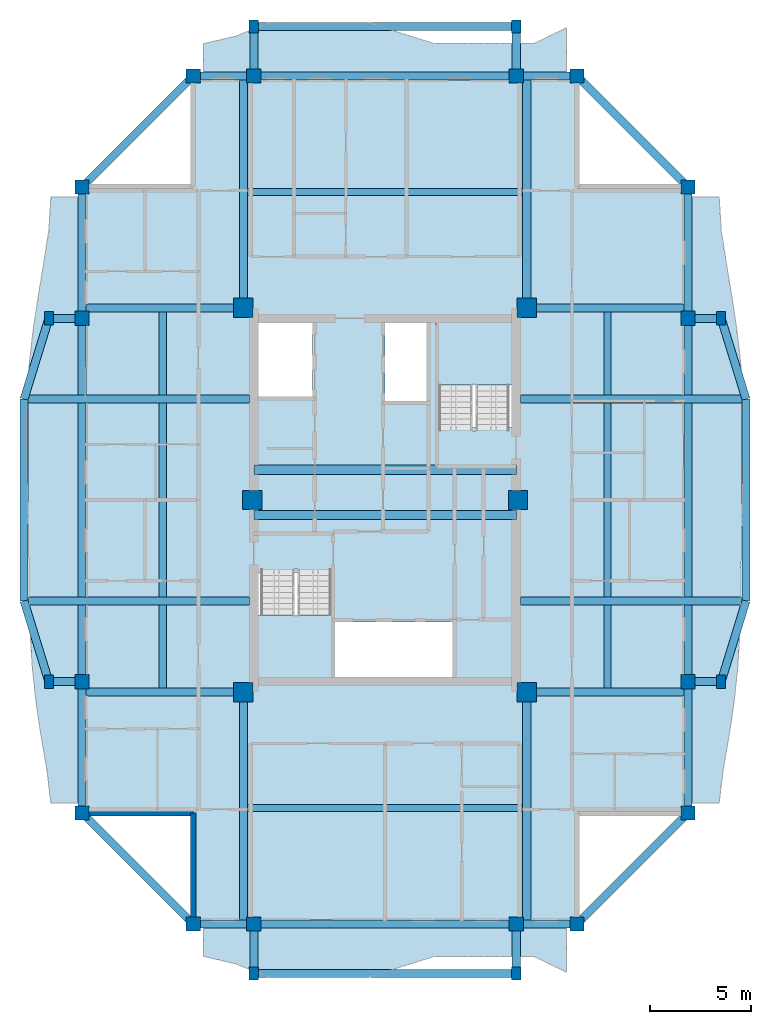
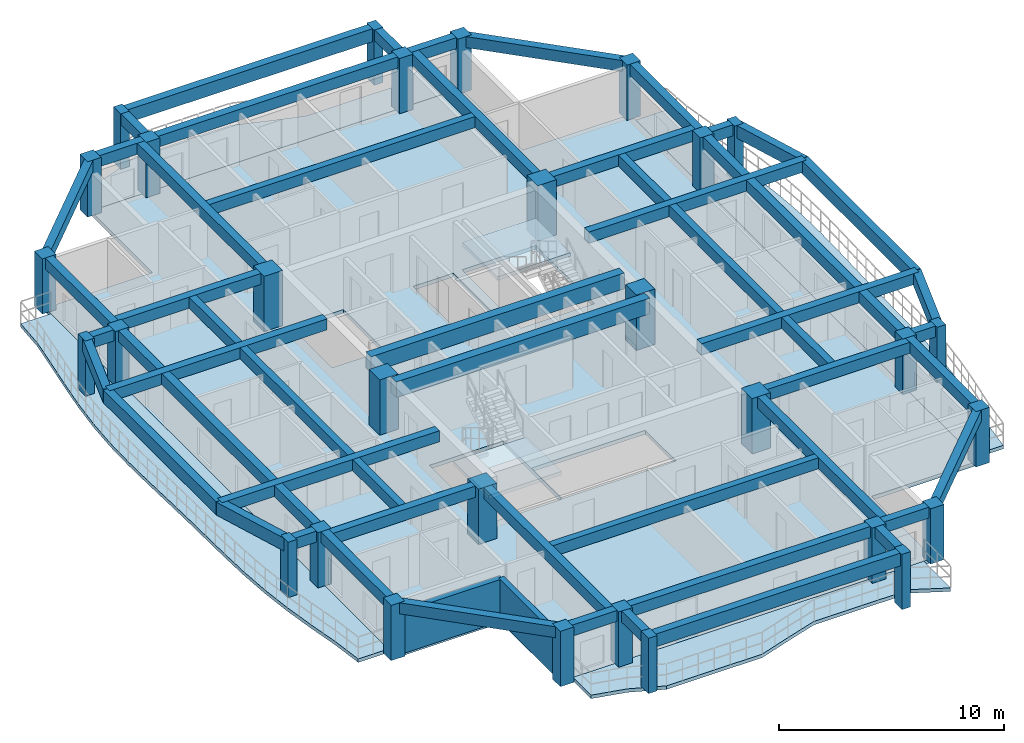
# One storey, part 1 of 12: 50 beams, 30 columns, 7 slabs, 2 walls, 2 elements without a shape of their own.
"""IFC4 building model written with IfcOpenShell, lengths in metres."""

from ifc_helpers import new_model, si_unit, direction, frame, frame_2d, origin, origin_2d, place, context, subcontext, project, spatial, polyline, rectangle, outline, extrude, source, transform, mapped, material, layer, layer_set, material_profile, profile_set, type_object, element, aggregate, save


model = new_model("IFC4")

# Units and contexts
model_context = context("Model", 3, precision=1e-05, world=origin(), true_north=direction((0.0, 1.0)))
body_context = subcontext(model_context, "Body", "Model", "MODEL_VIEW")
ifc_project = project(units=[si_unit("LENGTHUNIT", "METRE"), si_unit("AREAUNIT", "SQUARE_METRE"), si_unit("VOLUMEUNIT", "CUBIC_METRE"), si_unit("PLANEANGLEUNIT", "RADIAN"), si_unit("MASSUNIT", "GRAM", prefix="KILO")], contexts=[model_context])

# Site, building, storey
site_placement = place(None, origin())
site = spatial("IfcSite", under=ifc_project, at=site_placement, CompositionType="ELEMENT")
building_placement = place(site_placement, origin())
building = spatial("IfcBuilding", under=site, at=building_placement, Name="Saelheon Loggia Tower", CompositionType="ELEMENT")
storey_placement = place(building_placement, frame((0.0, 0.0, 243.0)))
storey = spatial("IfcBuildingStorey", under=building, at=storey_placement, Name="L75", CompositionType="ELEMENT", Elevation=243.0)

# Columns
ifc_material_1 = material(Name="Concrete C45/55", Category="concrete")
ifc_material_profile_1 = material_profile(ifc_material_1, rectangle(XDim=0.949951171875, YDim=0.949951171875, at=origin_2d()), Name="RC-950x950")
ifc_profile_set_1 = profile_set([ifc_material_profile_1], Name="Concrete C45/55")
column_type_1 = type_object("IfcColumnType", Name="Col_Core_RC950", PredefinedType="COLUMN", material=ifc_profile_set_1)
shared_shape_1 = source(origin(), body_context, "Body", "SweptSolid", [
    extrude(rectangle(XDim=0.949951171875, YDim=0.949951171875, at=origin_2d()), origin(), (0.0, 0.0, 1.0), 3.0),
])
for number, where, z_axis, x_axis, name in (
    (1, (30.97998046875, 17.47998046875, 0.0), (0.0, 0.0, 1.0), (1.0, 0.0, 0.0), "L75 Core Column CR-SW"),
    (2, (45.02001953125, 17.47998046875, 0.0), (0.0, 0.0, 1.0), (1.0, 0.0, 0.0), "L75 Core Column CR-SE"),
    (3, (30.97998046875, 36.52001953125, 0.0), (0.0, 0.0, 1.0), (1.0, 0.0, 0.0), "L75 Core Column CR-NW"),
    (4, (45.02001953125, 36.52001953125, 0.0), (0.0, 0.0, 1.0), (1.0, 0.0, 0.0), "L75 Core Column CR-NE"),
    (5, (31.419921875, 27.0, 0.0), (0.0, 0.0, 1.0), (1.0, 0.0, 0.0), "L75 Core Column CR-MW"),
    (6, (44.580078125, 27.0, 0.0), (0.0, 0.0, 1.0), (1.0, 0.0, 0.0), "L75 Core Column CR-ME"),
):
    element("IfcColumn", number, at=place(storey_placement, frame(where, z_axis=z_axis, x_axis=x_axis)), inside=storey, type_object=column_type_1, Name=name, PredefinedType="COLUMN", context=body_context, shape_type="MappedRepresentation", body=[
        mapped(shared_shape_1, transform((0.0, 0.0, 0.0), scale=1.0)),
    ])
ifc_material_2 = material(Name="Precast Concrete C45/55", Category="concrete")
ifc_material_profile_2 = material_profile(ifc_material_2, rectangle(XDim=0.449951171875, YDim=0.64990234375, at=origin_2d()), Name="RC-450x650")
ifc_profile_set_2 = profile_set([ifc_material_profile_2], Name="Precast Concrete C45/55")
column_type_2 = type_object("IfcColumnType", Name="Col_Loggia_Pilaster_650", PredefinedType="PILASTER", material=ifc_profile_set_2)
shared_shape_2 = source(origin(), body_context, "Body", "SweptSolid", [
    extrude(rectangle(XDim=0.449951171875, YDim=0.64990234375, at=origin_2d()), origin(), (0.0, 0.0, 1.0), 3.0),
])
for number, where, z_axis, x_axis, name in (
    (7, (31.5, 3.550048828125, 0.0), (0.0, 0.0, 1.0), (1.0, 0.0, 0.0), "L75 Loggia Frame Pilaster LP-S1"),
    (8, (44.5, 3.550048828125, 0.0), (0.0, 0.0, 1.0), (1.0, 0.0, 0.0), "L75 Loggia Frame Pilaster LP-S2"),
    (9, (31.5, 50.449951171875, 0.0), (0.0, 0.0, 1.0), (1.0, 0.0, 0.0), "L75 Loggia Frame Pilaster LP-N1"),
    (10, (44.5, 50.449951171875, 0.0), (0.0, 0.0, 1.0), (1.0, 0.0, 0.0), "L75 Loggia Frame Pilaster LP-N2"),
    (11, (54.64990234375, 18.0, 0.0), (0.0, 0.0, 1.0), (1.0, 0.0, 0.0), "L75 Loggia Frame Pilaster LP-E1"),
    (12, (54.64990234375, 36.0, 0.0), (0.0, 0.0, 1.0), (1.0, 0.0, 0.0), "L75 Loggia Frame Pilaster LP-E2"),
    (13, (21.35009765625, 18.0, 0.0), (0.0, 0.0, 1.0), (1.0, 0.0, 0.0), "L75 Loggia Frame Pilaster LP-W1"),
    (14, (21.35009765625, 36.0, 0.0), (0.0, 0.0, 1.0), (1.0, 0.0, 0.0), "L75 Loggia Frame Pilaster LP-W2"),
):
    element("IfcColumn", number, at=place(storey_placement, frame(where, z_axis=z_axis, x_axis=x_axis)), inside=storey, type_object=column_type_2, Name=name, PredefinedType="PILASTER", context=body_context, shape_type="MappedRepresentation", body=[
        mapped(shared_shape_2, transform((0.0, 0.0, 0.0), scale=1.0)),
    ])
ifc_material_profile_3 = material_profile(ifc_material_1, rectangle(XDim=0.699951171875, YDim=0.699951171875, at=origin_2d()), Name="RC-700x700")
ifc_profile_set_3 = profile_set([ifc_material_profile_3], Name="Concrete C45/55")
column_type_3 = type_object("IfcColumnType", Name="Col_Perim_RC700", PredefinedType="COLUMN", material=ifc_profile_set_3)
shared_shape_3 = source(origin(), body_context, "Body", "SweptSolid", [
    extrude(rectangle(XDim=0.699951171875, YDim=0.699951171875, at=origin_2d()), origin(), (0.0, 0.0, 1.0), 3.0),
])
for number, where, z_axis, x_axis, name in (
    (15, (28.5, 6.0, 0.0), (0.0, 0.0, 1.0), (1.0, 0.0, 0.0), "L75 Perimeter Column TP-S1"),
    (16, (31.5, 6.0, 0.0), (0.0, 0.0, 1.0), (1.0, 0.0, 0.0), "L75 Perimeter Column TP-SA"),
    (17, (44.5, 6.0, 0.0), (0.0, 0.0, 1.0), (1.0, 0.0, 0.0), "L75 Perimeter Column TP-SB"),
    (18, (47.5, 6.0, 0.0), (0.0, 0.0, 1.0), (1.0, 0.0, 0.0), "L75 Perimeter Column TP-S2"),
    (19, (53.0, 11.5, 0.0), (0.0, 0.0, 1.0), (1.0, 0.0, 0.0), "L75 Perimeter Column TP-E1"),
    (20, (53.0, 18.0, 0.0), (0.0, 0.0, 1.0), (1.0, 0.0, 0.0), "L75 Perimeter Column TP-EA"),
    (21, (53.0, 36.0, 0.0), (0.0, 0.0, 1.0), (1.0, 0.0, 0.0), "L75 Perimeter Column TP-EB"),
    (22, (53.0, 42.5, 0.0), (0.0, 0.0, 1.0), (1.0, 0.0, 0.0), "L75 Perimeter Column TP-E2"),
    (23, (47.5, 48.0, 0.0), (0.0, 0.0, 1.0), (1.0, 0.0, 0.0), "L75 Perimeter Column TP-N2"),
    (24, (44.5, 48.0, 0.0), (0.0, 0.0, 1.0), (1.0, 0.0, 0.0), "L75 Perimeter Column TP-NB"),
    (25, (31.5, 48.0, 0.0), (0.0, 0.0, 1.0), (1.0, 0.0, 0.0), "L75 Perimeter Column TP-NA"),
    (26, (28.5, 48.0, 0.0), (0.0, 0.0, 1.0), (1.0, 0.0, 0.0), "L75 Perimeter Column TP-N1"),
    (27, (23.0, 42.5, 0.0), (0.0, 0.0, 1.0), (1.0, 0.0, 0.0), "L75 Perimeter Column TP-W2"),
    (28, (23.0, 36.0, 0.0), (0.0, 0.0, 1.0), (1.0, 0.0, 0.0), "L75 Perimeter Column TP-WB"),
    (29, (23.0, 18.0, 0.0), (0.0, 0.0, 1.0), (1.0, 0.0, 0.0), "L75 Perimeter Column TP-WA"),
    (30, (23.0, 11.5, 0.0), (0.0, 0.0, 1.0), (1.0, 0.0, 0.0), "L75 Perimeter Column TP-W1"),
):
    element("IfcColumn", number, at=place(storey_placement, frame(where, z_axis=z_axis, x_axis=x_axis)), inside=storey, type_object=column_type_3, Name=name, PredefinedType="COLUMN", context=body_context, shape_type="MappedRepresentation", body=[
        mapped(shared_shape_3, transform((0.0, 0.0, 0.0), scale=1.0)),
    ])

# Beams
ifc_material_3 = material(Name="Concrete C50/60", Category="concrete")
ifc_material_profile_4 = material_profile(ifc_material_3, rectangle(XDim=0.449951171875, YDim=0.85009765625, at=origin_2d()), Name="RC-450x850")
ifc_profile_set_4 = profile_set([ifc_material_profile_4], Name="Concrete C50/60")
beam_type_1 = type_object("IfcBeamType", Name="Beam_CoreLintel_RC450x850", PredefinedType="LINTEL", material=ifc_profile_set_4)
shared_shape_4 = source(origin(), body_context, "Body", "SweptSolid", [
    extrude(rectangle(XDim=0.449951171875, YDim=0.85009765625, at=origin_2d()), origin(), (0.0, 0.0, 1.0), 13.0),
])
for number, where, z_axis, x_axis, name in (
    (31, (31.5, 26.25, 2.574951171875), (1.0, 0.0, 0.0), (0.0, 1.0, 0.0), "L75 Core Coupling Lintel 1"),
    (32, (31.5, 28.5, 2.574951171875), (1.0, 0.0, 0.0), (0.0, 1.0, 0.0), "L75 Core Coupling Lintel 2"),
):
    element("IfcBeam", number, at=place(storey_placement, frame(where, z_axis=z_axis, x_axis=x_axis)), inside=storey, type_object=beam_type_1, Name=name, PredefinedType="LINTEL", context=body_context, shape_type="MappedRepresentation", body=[
        mapped(shared_shape_4, transform((0.0, 0.0, 0.0), scale=1.0)),
    ])
ifc_material_profile_5 = material_profile(ifc_material_2, rectangle(XDim=0.39990234375, YDim=0.60009765625, at=origin_2d()), Name="RC-400x600")
ifc_profile_set_5 = profile_set([ifc_material_profile_5], Name="Precast Concrete C45/55")
beam_type_2 = type_object("IfcBeamType", Name="Beam_LoggiaTie_RC400x600", PredefinedType="BEAM", material=ifc_profile_set_5)
shared_shape_5 = source(origin(), body_context, "Body", "SweptSolid", [
    extrude(rectangle(XDim=0.39990234375, YDim=0.60009765625, at=origin_2d()), origin(), (0.0, 0.0, 1.0), 2.449951171875),
])
for number, where, z_axis, x_axis, name in (
    (33, (31.5, 6.0, 2.699951171875), (0.0, -1.0, 0.0), (1.0, 0.0, 0.0), "L75 Loggia Frame Tie Beam LP-S1"),
    (34, (44.5, 6.0, 2.699951171875), (0.0, -1.0, 0.0), (1.0, 0.0, 0.0), "L75 Loggia Frame Tie Beam LP-S2"),
    (35, (31.5, 48.0, 2.699951171875), (0.0, 1.0, 0.0), (-1.0, 0.0, 0.0), "L75 Loggia Frame Tie Beam LP-N1"),
    (36, (44.5, 48.0, 2.699951171875), (0.0, 1.0, 0.0), (-1.0, 0.0, 0.0), "L75 Loggia Frame Tie Beam LP-N2"),
):
    element("IfcBeam", number, at=place(storey_placement, frame(where, z_axis=z_axis, x_axis=x_axis)), inside=storey, type_object=beam_type_2, Name=name, PredefinedType="BEAM", context=body_context, shape_type="MappedRepresentation", body=[
        mapped(shared_shape_5, transform((0.0, 0.0, 0.0), scale=1.0)),
    ])
ifc_material_profile_6 = material_profile(ifc_material_1, rectangle(XDim=0.35009765625, YDim=0.60009765625, at=origin_2d()), Name="RC-350x600")
ifc_profile_set_6 = profile_set([ifc_material_profile_6], Name="Concrete C45/55")
beam_type_3 = type_object("IfcBeamType", Name="Beam_AmenityJoist_RC350x600", PredefinedType="JOIST", material=ifc_profile_set_6)
shared_shape_6 = source(origin(), body_context, "Body", "SweptSolid", [
    extrude(rectangle(XDim=0.35009765625, YDim=0.60009765625, at=origin_2d()), origin(), (0.0, 0.0, 1.0), 14.0400390625),
])
for number, where, z_axis, x_axis, name in (
    (37, (30.97998046875, 11.739990234375, 2.699951171875), (1.0, 0.0, 0.0), (0.0, 1.0, 0.0), "L75 South Floor Joist"),
    (38, (30.97998046875, 42.260009765625, 2.699951171875), (1.0, 0.0, 0.0), (0.0, 1.0, 0.0), "L75 North Floor Joist"),
):
    element("IfcBeam", number, at=place(storey_placement, frame(where, z_axis=z_axis, x_axis=x_axis)), inside=storey, type_object=beam_type_3, Name=name, PredefinedType="JOIST", context=body_context, shape_type="MappedRepresentation", body=[
        mapped(shared_shape_6, transform((0.0, 0.0, 0.0), scale=1.0)),
    ])
shared_shape_7 = source(origin(), body_context, "Body", "SweptSolid", [
    extrude(rectangle(XDim=0.35009765625, YDim=0.60009765625, at=origin_2d()), origin(), (0.0, 0.0, 1.0), 19.0400390625),
])
for number, where, z_axis, x_axis, name in (
    (39, (26.989990234375, 17.47998046875, 2.699951171875), (0.0, 1.0, 0.0), (-1.0, 0.0, 0.0), "L75 West Floor Joist"),
    (40, (49.010009765625, 17.47998046875, 2.699951171875), (0.0, 1.0, 0.0), (-1.0, 0.0, 0.0), "L75 East Floor Joist"),
):
    element("IfcBeam", number, at=place(storey_placement, frame(where, z_axis=z_axis, x_axis=x_axis)), inside=storey, type_object=beam_type_3, Name=name, PredefinedType="JOIST", context=body_context, shape_type="MappedRepresentation", body=[
        mapped(shared_shape_7, transform((0.0, 0.0, 0.0), scale=1.0)),
    ])
shared_shape_8 = source(origin(), body_context, "Body", "SweptSolid", [
    extrude(rectangle(XDim=0.39990234375, YDim=0.60009765625, at=origin_2d()), origin(), (0.0, 0.0, 1.0), 1.64990234375),
])
for number, where, z_axis, x_axis, name in (
    (41, (53.0, 18.0, 2.699951171875), (1.0, 0.0, 0.0), (0.0, 1.0, 0.0), "L75 Loggia Frame Tie Beam LP-E1"),
    (42, (53.0, 36.0, 2.699951171875), (1.0, 0.0, 0.0), (0.0, 1.0, 0.0), "L75 Loggia Frame Tie Beam LP-E2"),
    (43, (23.0, 18.0, 2.699951171875), (-1.0, 0.0, 0.0), (0.0, -1.0, 0.0), "L75 Loggia Frame Tie Beam LP-W1"),
    (44, (23.0, 36.0, 2.699951171875), (-1.0, 0.0, 0.0), (0.0, -1.0, 0.0), "L75 Loggia Frame Tie Beam LP-W2"),
):
    element("IfcBeam", number, at=place(storey_placement, frame(where, z_axis=z_axis, x_axis=x_axis)), inside=storey, type_object=beam_type_2, Name=name, PredefinedType="BEAM", context=body_context, shape_type="MappedRepresentation", body=[
        mapped(shared_shape_8, transform((0.0, 0.0, 0.0), scale=1.0)),
    ])
ifc_material_profile_7 = material_profile(ifc_material_2, rectangle(XDim=0.39990234375, YDim=0.699951171875, at=origin_2d()), Name="RC-400x700")
ifc_profile_set_7 = profile_set([ifc_material_profile_7], Name="Precast Concrete C45/55")
beam_type_4 = type_object("IfcBeamType", Name="Beam_LoggiaSpandrel_RC400x700", PredefinedType="SPANDREL", material=ifc_profile_set_7)
shared_shape_9 = source(origin(), body_context, "Body", "SweptSolid", [
    extrude(rectangle(XDim=0.39990234375, YDim=0.699951171875, at=origin_2d()), origin(), (0.0, 0.0, 1.0), 13.0),
])
for number, where, z_axis, x_axis, name in (
    (45, (31.5, 3.550048828125, 2.64990234375), (1.0, 0.0, 0.0), (0.0, 1.0, 0.0), "L75 Loggia Spandrel Beam S"),
    (46, (31.5, 50.449951171875, 2.64990234375), (1.0, 0.0, 0.0), (0.0, 1.0, 0.0), "L75 Loggia Spandrel Beam N"),
):
    element("IfcBeam", number, at=place(storey_placement, frame(where, z_axis=z_axis, x_axis=x_axis)), inside=storey, type_object=beam_type_4, Name=name, PredefinedType="SPANDREL", context=body_context, shape_type="MappedRepresentation", body=[
        mapped(shared_shape_9, transform((0.0, 0.0, 0.0), scale=1.0)),
    ])
shared_shape_10 = source(origin(), body_context, "Body", "SweptSolid", [
    extrude(rectangle(XDim=0.39990234375, YDim=0.699951171875, at=origin_2d()), origin(), (0.0, 0.0, 1.0), 4.184814453125),
])
for number, where, z_axis, x_axis, name in (
    (47, (54.64990234375, 18.0, 2.64990234375), (0.293913664135, 0.955831971653, 0.0), (-0.955831971653, 0.293913664135, 0.0), "L75 Curved Loggia Spandrel E 1"),
    (48, (55.8798828125, 32.0, 2.64990234375), (-0.293913664135, 0.955831971653, 0.0), (-0.955831971653, -0.293913664135, 0.0), "L75 Curved Loggia Spandrel E 3"),
    (49, (21.35009765625, 18.0, 2.64990234375), (-0.293913664135, 0.955831971653, 0.0), (-0.955831971653, -0.293913664135, 0.0), "L75 Curved Loggia Spandrel W 1"),
    (50, (20.1201171875, 32.0, 2.64990234375), (0.293913664135, 0.955831971653, 0.0), (-0.955831971653, 0.293913664135, 0.0), "L75 Curved Loggia Spandrel W 3"),
):
    element("IfcBeam", number, at=place(storey_placement, frame(where, z_axis=z_axis, x_axis=x_axis)), inside=storey, type_object=beam_type_4, Name=name, PredefinedType="SPANDREL", context=body_context, shape_type="MappedRepresentation", body=[
        mapped(shared_shape_10, transform((0.0, 0.0, 0.0), scale=1.0)),
    ])
shared_shape_11 = source(origin(), body_context, "Body", "SweptSolid", [
    extrude(rectangle(XDim=0.39990234375, YDim=0.699951171875, at=origin_2d()), origin(), (0.0, 0.0, 1.0), 10.0),
])
for number, where, z_axis, x_axis, name in (
    (51, (55.8798828125, 22.0, 2.64990234375), (0.0, 1.0, 0.0), (-1.0, 0.0, 0.0), "L75 Curved Loggia Spandrel E 2"),
    (52, (20.1201171875, 22.0, 2.64990234375), (0.0, 1.0, 0.0), (-1.0, 0.0, 0.0), "L75 Curved Loggia Spandrel W 2"),
):
    element("IfcBeam", number, at=place(storey_placement, frame(where, z_axis=z_axis, x_axis=x_axis)), inside=storey, type_object=beam_type_4, Name=name, PredefinedType="SPANDREL", context=body_context, shape_type="MappedRepresentation", body=[
        mapped(shared_shape_11, transform((0.0, 0.0, 0.0), scale=1.0)),
    ])
ifc_material_4 = material(Name="Concrete C40/50", Category="concrete")
ifc_material_profile_8 = material_profile(ifc_material_4, rectangle(XDim=0.39990234375, YDim=0.60009765625, at=origin_2d()), Name="RC-400x600")
ifc_profile_set_8 = profile_set([ifc_material_profile_8], Name="Concrete C40/50")
beam_type_5 = type_object("IfcBeamType", Name="Beam_PerimUpper_RC400x600", PredefinedType="BEAM", material=ifc_profile_set_8)
shared_shape_12 = source(origin(), body_context, "Body", "SweptSolid", [
    extrude(rectangle(XDim=0.39990234375, YDim=0.60009765625, at=origin_2d()), origin(), (0.0, 0.0, 1.0), 13.0),
])
for number, where, z_axis, x_axis, name in (
    (53, (31.5, 6.0, 2.699951171875), (1.0, 0.0, 0.0), (0.0, 1.0, 0.0), "L75 Perimeter Frame Girder 02"),
    (54, (44.5, 48.0, 2.699951171875), (-1.0, 0.0, 0.0), (0.0, -1.0, 0.0), "L75 Perimeter Frame Girder 10"),
):
    element("IfcBeam", number, at=place(storey_placement, frame(where, z_axis=z_axis, x_axis=x_axis)), inside=storey, type_object=beam_type_5, Name=name, PredefinedType="BEAM", context=body_context, shape_type="MappedRepresentation", body=[
        mapped(shared_shape_12, transform((0.0, 0.0, 0.0), scale=1.0)),
    ])
shared_shape_13 = source(origin(), body_context, "Body", "SweptSolid", [
    extrude(rectangle(XDim=0.39990234375, YDim=0.60009765625, at=origin_2d()), origin(), (0.0, 0.0, 1.0), 18.0),
])
for number, where, z_axis, x_axis, name in (
    (55, (53.0, 18.0, 2.699951171875), (0.0, 1.0, 0.0), (-1.0, 0.0, 0.0), "L75 Perimeter Frame Girder 06"),
    (56, (23.0, 36.0, 2.699951171875), (0.0, -1.0, 0.0), (1.0, 0.0, 0.0), "L75 Perimeter Frame Girder 14"),
):
    element("IfcBeam", number, at=place(storey_placement, frame(where, z_axis=z_axis, x_axis=x_axis)), inside=storey, type_object=beam_type_5, Name=name, PredefinedType="BEAM", context=body_context, shape_type="MappedRepresentation", body=[
        mapped(shared_shape_13, transform((0.0, 0.0, 0.0), scale=1.0)),
    ])
ifc_material_profile_9 = material_profile(ifc_material_4, rectangle(XDim=0.39990234375, YDim=0.60009765625, at=origin_2d()), Name="RC-400x600")
ifc_profile_set_9 = profile_set([ifc_material_profile_9], Name="Concrete C40/50")
beam_type_6 = type_object("IfcBeamType", Name="Beam_UpperGirder_RC400x600", PredefinedType="BEAM", material=ifc_profile_set_9)
shared_shape_14 = source(origin(), body_context, "Body", "SweptSolid", [
    extrude(rectangle(XDim=0.39990234375, YDim=0.60009765625, at=origin_2d()), origin(), (0.0, 0.0, 1.0), 11.47998046875),
])
for number, where, z_axis, x_axis, name in (
    (57, (30.97998046875, 17.47998046875, 2.699951171875), (0.0, -1.0, 0.0), (1.0, 0.0, 0.0), "L75 Radial Floor Girder RAD-SW-S"),
    (58, (45.02001953125, 17.47998046875, 2.699951171875), (0.0, -1.0, 0.0), (1.0, 0.0, 0.0), "L75 Radial Floor Girder RAD-SE-S"),
    (59, (30.97998046875, 36.52001953125, 2.699951171875), (0.0, 1.0, 0.0), (-1.0, 0.0, 0.0), "L75 Radial Floor Girder RAD-NW-N"),
    (60, (45.02001953125, 36.52001953125, 2.699951171875), (0.0, 1.0, 0.0), (-1.0, 0.0, 0.0), "L75 Radial Floor Girder RAD-NE-N"),
):
    element("IfcBeam", number, at=place(storey_placement, frame(where, z_axis=z_axis, x_axis=x_axis)), inside=storey, type_object=beam_type_6, Name=name, PredefinedType="BEAM", context=body_context, shape_type="MappedRepresentation", body=[
        mapped(shared_shape_14, transform((0.0, 0.0, 0.0), scale=1.0)),
    ])
shared_shape_15 = source(origin(), body_context, "Body", "SweptSolid", [
    extrude(rectangle(XDim=0.39990234375, YDim=0.60009765625, at=origin_2d()), origin(), (0.0, 0.0, 1.0), 6.5),
])
for number, where, z_axis, x_axis, name in (
    (61, (53.0, 11.5, 2.699951171875), (0.0, 1.0, 0.0), (-1.0, 0.0, 0.0), "L75 Perimeter Frame Girder 05"),
    (62, (53.0, 36.0, 2.699951171875), (0.0, 1.0, 0.0), (-1.0, 0.0, 0.0), "L75 Perimeter Frame Girder 07"),
    (63, (23.0, 42.5, 2.699951171875), (0.0, -1.0, 0.0), (1.0, 0.0, 0.0), "L75 Perimeter Frame Girder 13"),
    (64, (23.0, 18.0, 2.699951171875), (0.0, -1.0, 0.0), (1.0, 0.0, 0.0), "L75 Perimeter Frame Girder 15"),
):
    element("IfcBeam", number, at=place(storey_placement, frame(where, z_axis=z_axis, x_axis=x_axis)), inside=storey, type_object=beam_type_5, Name=name, PredefinedType="BEAM", context=body_context, shape_type="MappedRepresentation", body=[
        mapped(shared_shape_15, transform((0.0, 0.0, 0.0), scale=1.0)),
    ])
shared_shape_16 = source(origin(), body_context, "Body", "SweptSolid", [
    extrude(rectangle(XDim=0.39990234375, YDim=0.60009765625, at=origin_2d()), origin(), (0.0, 0.0, 1.0), 7.778076171875),
])
for number, where, z_axis, x_axis, name in (
    (65, (47.5, 6.0, 2.699951171875), (0.707106781187, 0.707106781187, 0.0), (-0.707106781187, 0.707106781187, 0.0), "L75 Perimeter Frame Girder 04"),
    (66, (53.0, 42.5, 2.699951171875), (-0.707106781187, 0.707106781187, 0.0), (-0.707106781187, -0.707106781187, 0.0), "L75 Perimeter Frame Girder 08"),
    (67, (28.5, 48.0, 2.699951171875), (-0.707106781187, -0.707106781187, 0.0), (0.707106781187, -0.707106781187, 0.0), "L75 Perimeter Frame Girder 12"),
    (68, (23.0, 11.5, 2.699951171875), (0.707106781187, -0.707106781187, 0.0), (0.707106781187, 0.707106781187, 0.0), "L75 Perimeter Frame Girder 16"),
):
    element("IfcBeam", number, at=place(storey_placement, frame(where, z_axis=z_axis, x_axis=x_axis)), inside=storey, type_object=beam_type_5, Name=name, PredefinedType="BEAM", context=body_context, shape_type="MappedRepresentation", body=[
        mapped(shared_shape_16, transform((0.0, 0.0, 0.0), scale=1.0)),
    ])
shared_shape_17 = source(origin(), body_context, "Body", "SweptSolid", [
    extrude(rectangle(XDim=0.39990234375, YDim=0.60009765625, at=origin_2d()), origin(), (0.0, 0.0, 1.0), 3.0),
])
for number, where, z_axis, x_axis, name in (
    (69, (28.5, 6.0, 2.699951171875), (1.0, 0.0, 0.0), (0.0, 1.0, 0.0), "L75 Perimeter Frame Girder 01"),
    (70, (44.5, 6.0, 2.699951171875), (1.0, 0.0, 0.0), (0.0, 1.0, 0.0), "L75 Perimeter Frame Girder 03"),
    (71, (47.5, 48.0, 2.699951171875), (-1.0, 0.0, 0.0), (0.0, -1.0, 0.0), "L75 Perimeter Frame Girder 09"),
    (72, (31.5, 48.0, 2.699951171875), (-1.0, 0.0, 0.0), (0.0, -1.0, 0.0), "L75 Perimeter Frame Girder 11"),
):
    element("IfcBeam", number, at=place(storey_placement, frame(where, z_axis=z_axis, x_axis=x_axis)), inside=storey, type_object=beam_type_5, Name=name, PredefinedType="BEAM", context=body_context, shape_type="MappedRepresentation", body=[
        mapped(shared_shape_17, transform((0.0, 0.0, 0.0), scale=1.0)),
    ])
shared_shape_18 = source(origin(), body_context, "Body", "SweptSolid", [
    extrude(rectangle(XDim=0.39990234375, YDim=0.60009765625, at=origin_2d()), origin(), (0.0, 0.0, 1.0), 7.97998046875),
])
for number, where, z_axis, x_axis, name in (
    (73, (30.97998046875, 17.47998046875, 2.699951171875), (-1.0, 0.0, 0.0), (0.0, -1.0, 0.0), "L75 Radial Floor Girder RAD-SW-W"),
    (74, (30.97998046875, 36.52001953125, 2.699951171875), (-1.0, 0.0, 0.0), (0.0, -1.0, 0.0), "L75 Radial Floor Girder RAD-NW-W"),
    (75, (45.02001953125, 17.47998046875, 2.699951171875), (1.0, 0.0, 0.0), (0.0, 1.0, 0.0), "L75 Radial Floor Girder RAD-SE-E"),
    (76, (45.02001953125, 36.52001953125, 2.699951171875), (1.0, 0.0, 0.0), (0.0, 1.0, 0.0), "L75 Radial Floor Girder RAD-NE-E"),
):
    element("IfcBeam", number, at=place(storey_placement, frame(where, z_axis=z_axis, x_axis=x_axis)), inside=storey, type_object=beam_type_6, Name=name, PredefinedType="BEAM", context=body_context, shape_type="MappedRepresentation", body=[
        mapped(shared_shape_18, transform((0.0, 0.0, 0.0), scale=1.0)),
    ])
shared_shape_19 = source(origin(), body_context, "Body", "SweptSolid", [
    extrude(rectangle(XDim=0.39990234375, YDim=0.60009765625, at=origin_2d()), origin(), (0.0, 0.0, 1.0), 11.159912109375),
])
for number, where, z_axis, x_axis, name in (
    (77, (44.719970703125, 22.0, 2.699951171875), (1.0, 0.0, 0.0), (0.0, 1.0, 0.0), "L75 Curved Facade Outrigger Beam E 1"),
    (78, (44.719970703125, 32.0, 2.699951171875), (1.0, 0.0, 0.0), (0.0, 1.0, 0.0), "L75 Curved Facade Outrigger Beam E 2"),
    (79, (31.280029296875, 22.0, 2.699951171875), (-1.0, 0.0, 0.0), (0.0, -1.0, 0.0), "L75 Curved Facade Outrigger Beam W 1"),
    (80, (31.280029296875, 32.0, 2.699951171875), (-1.0, 0.0, 0.0), (0.0, -1.0, 0.0), "L75 Curved Facade Outrigger Beam W 2"),
):
    element("IfcBeam", number, at=place(storey_placement, frame(where, z_axis=z_axis, x_axis=x_axis)), inside=storey, type_object=beam_type_2, Name=name, PredefinedType="BEAM", context=body_context, shape_type="MappedRepresentation", body=[
        mapped(shared_shape_19, transform((0.0, 0.0, 0.0), scale=1.0)),
    ])

# Slabs
ifc_layer_1 = layer(ifc_material_2, 0.18994140625)
ifc_layer_set_1 = layer_set([ifc_layer_1], Name="Precast Concrete C45/55")
slab_type_1 = type_object("IfcSlabType", Name="Slab_Loggia_Ext_190", PredefinedType="FLOOR", material=ifc_layer_set_1)
slab_1_placement = place(storey_placement, frame((0.0, 0.0, -0.18994140625)))
element("IfcSlab", 81, at=slab_1_placement, inside=storey, type_object=slab_type_1, Name="L75 Loggia Balcony Slab S", PredefinedType="FLOOR", context=body_context, shape_type="SweptSolid", body=[
    extrude(outline(polyline([(29.0, 4.39990234375), (30.636474609375, 4.02001953125), (32.272705078125, 3.35009765625), (33.9091796875, 3.35009765625), (35.54541015625, 3.35009765625), (37.181884765625, 3.35009765625), (38.818115234375, 3.88720703125), (40.45458984375, 4.39990234375), (42.0908203125, 4.39990234375), (43.727294921875, 4.39990234375), (45.363525390625, 4.39990234375), (47.0, 3.606689453125), (47.0, 6.0), (29.0, 6.0), (29.0, 4.39990234375)])), origin(), (0.0, 0.0, 1.0), 0.18994140625),
])
slab_2_placement = place(storey_placement, frame((0.0, 0.0, -0.18994140625)))
element("IfcSlab", 82, at=slab_2_placement, inside=storey, type_object=slab_type_1, Name="L75 Loggia Balcony Slab N", PredefinedType="FLOOR", context=body_context, shape_type="SweptSolid", body=[
    extrude(outline(polyline([(29.0, 48.0), (47.0, 48.0), (47.0, 50.393310546875), (45.363525390625, 49.60009765625), (43.727294921875, 49.60009765625), (42.0908203125, 49.60009765625), (40.45458984375, 49.60009765625), (38.818115234375, 50.11279296875), (37.181884765625, 50.64990234375), (35.54541015625, 50.64990234375), (33.9091796875, 50.64990234375), (32.272705078125, 50.64990234375), (30.636474609375, 49.97998046875), (29.0, 49.60009765625), (29.0, 48.0)])), origin(), (0.0, 0.0, 1.0), 0.18994140625),
])
slab_3_placement = place(storey_placement, frame((0.0, 0.0, -0.18994140625)))
element("IfcSlab", 83, at=slab_3_placement, inside=storey, type_object=slab_type_1, Name="L75 Loggia Balcony Slab E", PredefinedType="FLOOR", context=body_context, shape_type="SweptSolid", body=[
    extrude(outline(polyline([(53.0, 12.0), (54.550048828125, 12.0), (54.75341796875, 13.666748046875), (55.041015625, 15.333251953125), (55.2880859375, 17.0), (55.467041015625, 18.666748046875), (55.572509765625, 20.333251953125), (55.62060546875, 22.0), (55.640869140625, 23.666748046875), (55.662109375, 25.333251953125), (55.697265625, 27.0), (55.7392578125, 28.666748046875), (55.761962890625, 30.333251953125), (55.732666015625, 32.0), (55.627197265625, 33.666748046875), (55.440673828125, 35.333251953125), (55.19189453125, 37.0), (54.916748046875, 38.666748046875), (54.655029296875, 40.333251953125), (54.550048828125, 42.0), (53.0, 42.0), (53.0, 12.0)])), origin(), (0.0, 0.0, 1.0), 0.18994140625),
])
slab_4_placement = place(storey_placement, frame((0.0, 0.0, -0.18994140625)))
element("IfcSlab", 84, at=slab_4_placement, inside=storey, type_object=slab_type_1, Name="L75 Loggia Balcony Slab W", PredefinedType="FLOOR", context=body_context, shape_type="SweptSolid", body=[
    extrude(outline(polyline([(23.0, 12.0), (23.0, 42.0), (21.449951171875, 42.0), (21.344970703125, 40.333251953125), (21.083251953125, 38.666748046875), (20.80810546875, 37.0), (20.559326171875, 35.333251953125), (20.372802734375, 33.666748046875), (20.267333984375, 32.0), (20.238037109375, 30.333251953125), (20.2607421875, 28.666748046875), (20.302734375, 27.0), (20.337890625, 25.333251953125), (20.359130859375, 23.666748046875), (20.37939453125, 22.0), (20.427490234375, 20.333251953125), (20.532958984375, 18.666748046875), (20.7119140625, 17.0), (20.958984375, 15.333251953125), (21.24658203125, 13.666748046875), (21.449951171875, 12.0), (23.0, 12.0)])), origin(), (0.0, 0.0, 1.0), 0.18994140625),
])

# Stair, slab
stair_type = type_object("IfcStairType", Name="Stair_Escape_Core", PredefinedType="HALF_TURN_STAIR", material=ifc_material_4)
stair_1_placement = place(storey_placement, origin())
stair_1 = element("IfcStair", 85, at=stair_1_placement, inside=storey, type_object=stair_type, Name="L75 Special Escape Stair ST1", PredefinedType="HALF_TURN_STAIR")
ifc_layer_2 = layer(ifc_material_4, 0.199951171875)
ifc_layer_set_2 = layer_set([ifc_layer_2], Name="Concrete C40/50")
slab_type_2 = type_object("IfcSlabType", Name="Slab_StairLanding_ST1", PredefinedType="LANDING", material=ifc_layer_set_2)
slab_5_placement = place(storey_placement, frame((0.0, 0.0, 1.300048828125)))
slab_5 = element("IfcSlab", 86, at=slab_5_placement, type_object=slab_type_2, Name="ST1 landing 1", PredefinedType="LANDING", context=body_context, shape_type="SweptSolid", body=[
    extrude(outline(polyline([(31.7099609375, 21.31005859375), (31.7099609375, 18.2099609375), (35.469970703125, 18.2099609375), (35.469970703125, 21.31005859375), (31.7099609375, 21.31005859375)])), origin(), (0.0, 0.0, 1.0), 0.199951171875),
])
aggregate(stair_1, [slab_5])

stair_2_placement = place(storey_placement, origin())
stair_2 = element("IfcStair", 87, at=stair_2_placement, inside=storey, type_object=stair_type, Name="L75 Special Escape Stair ST2", PredefinedType="HALF_TURN_STAIR")
ifc_layer_3 = layer(ifc_material_4, 0.199951171875)
ifc_layer_set_3 = layer_set([ifc_layer_3], Name="Concrete C40/50")
slab_type_3 = type_object("IfcSlabType", Name="Slab_StairLanding_ST2", PredefinedType="LANDING", material=ifc_layer_set_3)
slab_6_placement = place(storey_placement, frame((0.0, 0.0, 1.300048828125)))
slab_6 = element("IfcSlab", 88, at=slab_6_placement, type_object=slab_type_3, Name="ST2 landing 1", PredefinedType="LANDING", context=body_context, shape_type="SweptSolid", body=[
    extrude(outline(polyline([(44.2900390625, 32.68994140625), (44.2900390625, 35.7900390625), (40.530029296875, 35.7900390625), (40.530029296875, 32.68994140625), (44.2900390625, 32.68994140625)])), origin(), (0.0, 0.0, 1.0), 0.199951171875),
])
aggregate(stair_2, [slab_6])

# Slab
ifc_layer_4 = layer(ifc_material_4, 0.2099609375)
ifc_layer_set_4 = layer_set([ifc_layer_4], Name="Concrete C40/50")
slab_type_4 = type_object("IfcSlabType", Name="Slab_Tower_210", PredefinedType="FLOOR", material=ifc_layer_set_4)
slab_7_placement = place(storey_placement, frame((0.0, 0.0, -0.2099609375)))
element("IfcSlab", 89, at=slab_7_placement, inside=storey, type_object=slab_type_4, Name="L75 Tower Floor Slab", PredefinedType="FLOOR", context=body_context, shape_type="SweptSolid", body=[
    extrude(outline(polyline([(28.5, 6.0), (47.5, 6.0), (47.5, 11.5), (53.0, 11.5), (53.0, 42.5), (47.5, 42.5), (47.5, 48.0), (28.5, 48.0), (28.5, 42.5), (23.0, 42.5), (23.0, 11.5), (28.5, 11.5), (28.5, 6.0)]), holes=[polyline([(31.699951171875, 23.409912109375), (31.699951171875, 18.199951171875), (35.47998046875, 18.199951171875), (35.47998046875, 23.409912109375), (31.699951171875, 23.409912109375)]), polyline([(44.300048828125, 30.590087890625), (44.300048828125, 35.800048828125), (40.52001953125, 35.800048828125), (40.52001953125, 30.590087890625), (44.300048828125, 30.590087890625)]), polyline([(35.530029296875, 18.22509765625), (41.35009765625, 18.22509765625), (41.35009765625, 20.9599609375), (35.530029296875, 20.9599609375), (35.530029296875, 18.22509765625)]), polyline([(31.72509765625, 32.1201171875), (34.419921875, 32.1201171875), (34.419921875, 35.77490234375), (31.72509765625, 35.77490234375), (31.72509765625, 32.1201171875)]), polyline([(38.0, 31.89990234375), (40.050048828125, 31.89990234375), (40.050048828125, 35.77490234375), (38.0, 35.77490234375), (38.0, 31.89990234375)])]), origin(), (0.0, 0.0, 1.0), 0.2099609375),
])

# Walls
ifc_material_5 = material(Name="Architectural Precast Concrete C40/50", Category="concrete")
ifc_layer_5 = layer(ifc_material_5, 0.280029296875)
ifc_layer_set_5 = layer_set([ifc_layer_5], Name="Architectural Precast Concrete C40/50")
wall_type = type_object("IfcWallType", Name="Wall_Ext_Loggia_280", PredefinedType="SOLIDWALL", material=ifc_layer_set_5)
for number, where, z_axis, x_axis, name in (
    (90, (28.5, 6.080078125, 0.0), (0.0, 0.0, 1.0), (0.0, 1.0, 0.0), "L75 Corner Notch Precast Wall SW1"),
    (91, (23.080078125, 11.5, 0.0), (0.0, 0.0, 1.0), (1.0, 0.0, 0.0), "L75 Corner Notch Precast Wall SW2"),
):
    element("IfcWall", number, at=place(storey_placement, frame(where, z_axis=z_axis, x_axis=x_axis)), inside=storey, type_object=wall_type, Name=name, PredefinedType="SOLIDWALL", context=body_context, shape_type="SweptSolid", body=[
        extrude(rectangle(XDim=5.419921875, YDim=0.280029296875, at=frame_2d((2.7099609375, 0.0))), origin(), (0.0, 0.0, 1.0), 2.280029296875),
    ])

save(model, "model.ifc")
